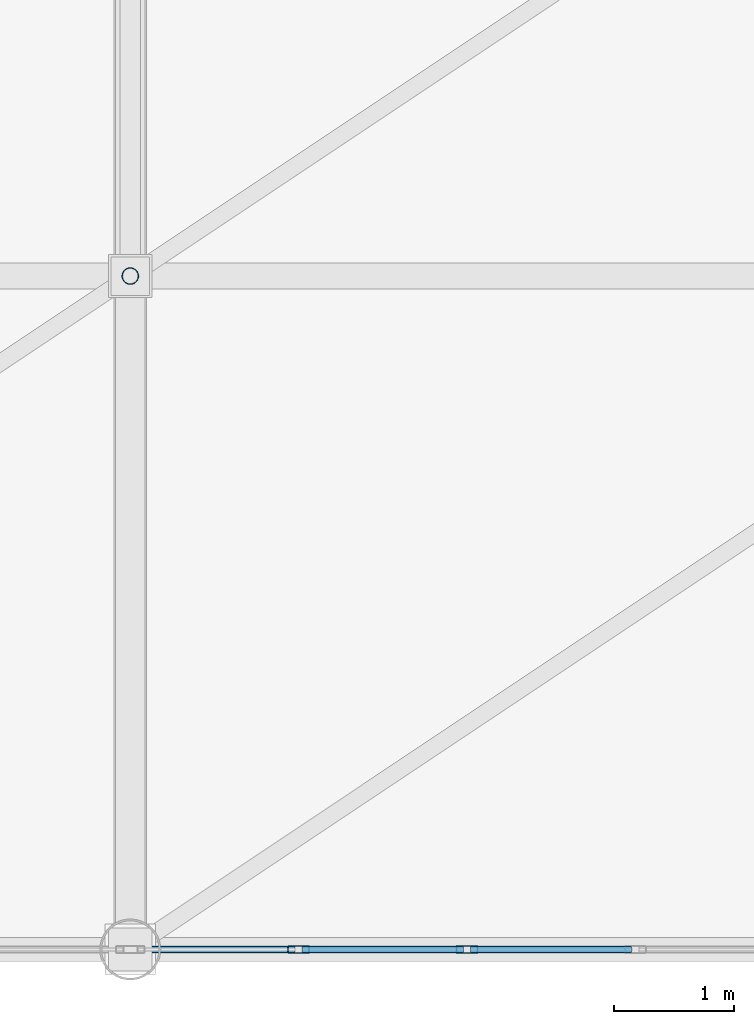
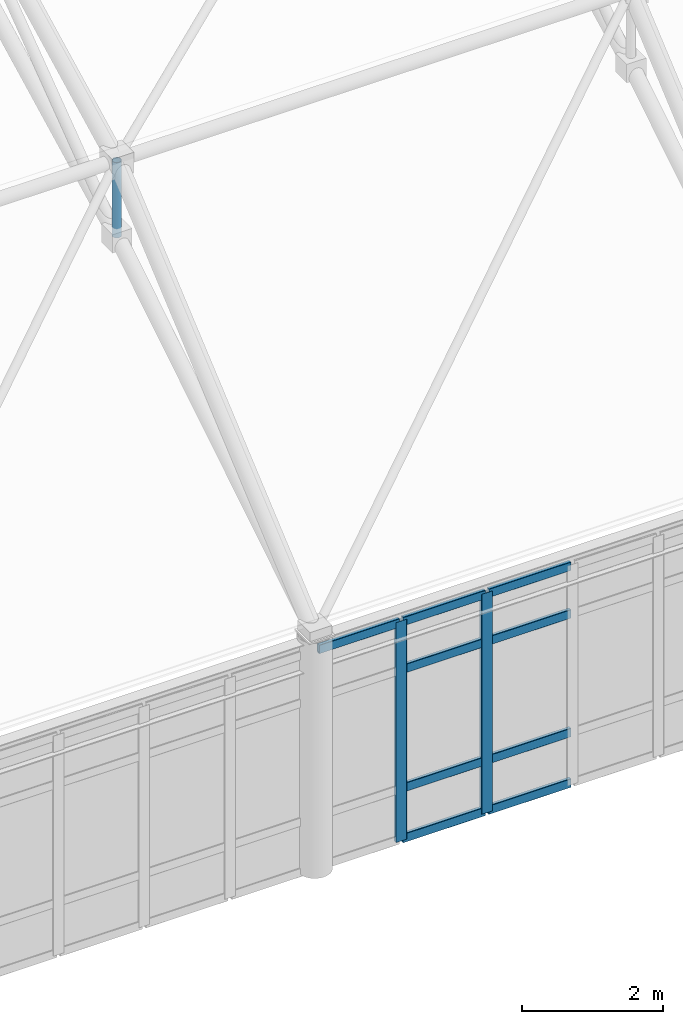
# One storey, part 68 of 184: 12 members, 1 element without a shape of its own.
"""IFC4 building model written with IfcOpenShell, lengths in metres."""

from ifc_helpers import new_model, si_unit, direction, frame, origin, origin_2d, place, context, subcontext, project, spatial, hollow_rectangle, hollow_circle, extrude, material, layer, layer_set, material_profile, profile_set, type_object, element, aggregate, save


model = new_model("IFC4")

# Units and contexts
model_context = context("Model", 3, precision=1e-05, world=origin(), true_north=direction((0.0, 1.0)))
body_context = subcontext(model_context, "Body", "Model", "MODEL_VIEW")
ifc_project = project(units=[si_unit("LENGTHUNIT", "METRE"), si_unit("AREAUNIT", "SQUARE_METRE"), si_unit("VOLUMEUNIT", "CUBIC_METRE"), si_unit("PLANEANGLEUNIT", "RADIAN"), si_unit("MASSUNIT", "GRAM", prefix="KILO")], contexts=[model_context])

# Site, building, storey
site_placement = place(None, origin())
site = spatial("IfcSite", under=ifc_project, at=site_placement, CompositionType="ELEMENT")
building_placement = place(site_placement, origin())
building = spatial("IfcBuilding", under=site, at=building_placement, Name="Qalvenar Corner Mobility Hub", CompositionType="ELEMENT")
storey_placement = place(building_placement, frame((0.0, 0.0, 9.0)))
storey = spatial("IfcBuildingStorey", under=building, at=storey_placement, Name="L02", CompositionType="ELEMENT", Elevation=9.0)

# Curtain wall, members
ifc_material_1 = material(Name="Anodised Aluminium and Low-E Glazing", Category="aluminium")
ifc_layer = layer(ifc_material_1, 0.179931640625)
ifc_layer_set = layer_set([ifc_layer], Name="Anodised Aluminium and Low-E Glazing")
curtain_wall_type = type_object("IfcCurtainWallType", Name="CW-CONC-84X42", PredefinedType="NOTDEFINED", material=ifc_layer_set)
curtain_wall_placement = place(storey_placement, origin())
curtain_wall = element("IfcCurtainWall", 1, at=curtain_wall_placement, inside=storey, type_object=curtain_wall_type, Name="Glazed Curtain Wall CW-V1-L02-S3", PredefinedType="NOTDEFINED")
ifc_material_2 = material(Name="Anodised Aluminium 6063-T6", Category="aluminium")
ifc_material_profile_1 = material_profile(ifc_material_2, hollow_rectangle(XDim=0.06494140625, YDim=0.179931640625, WallThickness=0.00390625, InnerFilletRadius=0.00390625, OuterFilletRadius=0.008056640625, at=origin_2d()), Name="RHS180x65x4")
ifc_profile_set_1 = profile_set([ifc_material_profile_1], Name="Anodised Aluminium 6063-T6")
member_type_1 = type_object("IfcMemberType", Name="CW-MUL180", PredefinedType="MULLION", material=ifc_profile_set_1)
member_1_placement = place(storey_placement, frame((77.0, 0.0, 0.0), z_axis=(0.0, 0.0, 1.0), x_axis=(0.0, 1.0, 0.0)))
member_1 = element("IfcMember", 2, at=member_1_placement, type_object=member_type_1, Name="CW-02 mullion 2", PredefinedType="MULLION", context=body_context, shape_type="SweptSolid", body=[
    extrude(hollow_rectangle(XDim=0.06494140625, YDim=0.179931640625, WallThickness=0.00390625, InnerFilletRadius=0.00390625, OuterFilletRadius=0.008056640625, at=origin_2d()), origin(), (0.0, 0.0, 1.0), 3.800048828125),
])
member_2_placement = place(storey_placement, frame((78.39990234375, 0.0, 0.0), z_axis=(0.0, 0.0, 1.0), x_axis=(0.0, 1.0, 0.0)))
member_2 = element("IfcMember", 3, at=member_2_placement, type_object=member_type_1, Name="CW-02 mullion 3", PredefinedType="MULLION", context=body_context, shape_type="SweptSolid", body=[
    extrude(hollow_rectangle(XDim=0.06494140625, YDim=0.179931640625, WallThickness=0.00390625, InnerFilletRadius=0.00390625, OuterFilletRadius=0.008056640625, at=origin_2d()), origin(), (0.0, 0.0, 1.0), 3.800048828125),
])
ifc_material_profile_2 = material_profile(ifc_material_2, hollow_rectangle(XDim=0.06005859375, YDim=0.14990234375, WallThickness=0.00341796875, InnerFilletRadius=0.00341796875, OuterFilletRadius=0.007080078125, at=origin_2d()), Name="RHS150x60x3.5")
ifc_profile_set_2 = profile_set([ifc_material_profile_2], Name="Anodised Aluminium 6063-T6")
member_type_2 = type_object("IfcMemberType", Name="CW-TRN150", PredefinedType="USERDEFINED", material=ifc_profile_set_2)
member_3_placement = place(storey_placement, frame((75.659912109375, 0.0, 3.7724609375), z_axis=(1.0, 0.0, 0.0), x_axis=(0.0, 1.0, 0.0)))
member_3 = element("IfcMember", 4, at=member_3_placement, type_object=member_type_2, Name="CW-02 transom 1.4", ObjectType="TRANSOM", PredefinedType="USERDEFINED", context=body_context, shape_type="SweptSolid", body=[
    extrude(hollow_rectangle(XDim=0.06005859375, YDim=0.14990234375, WallThickness=0.00341796875, InnerFilletRadius=0.00341796875, OuterFilletRadius=0.007080078125, at=origin_2d()), origin(), (0.0, 0.0, 1.0), 1.31005859375),
])
member_4_placement = place(storey_placement, frame((77.030029296875, 0.0, 0.027587890625), z_axis=(1.0, 0.0, 0.0), x_axis=(0.0, 1.0, 0.0)))
member_4 = element("IfcMember", 5, at=member_4_placement, type_object=member_type_2, Name="CW-02 transom 2.1", ObjectType="TRANSOM", PredefinedType="USERDEFINED", context=body_context, shape_type="SweptSolid", body=[
    extrude(hollow_rectangle(XDim=0.06005859375, YDim=0.14990234375, WallThickness=0.00341796875, InnerFilletRadius=0.00341796875, OuterFilletRadius=0.007080078125, at=origin_2d()), origin(), (0.0, 0.0, 1.0), 1.340087890625),
])
member_5_placement = place(storey_placement, frame((77.030029296875, 0.0, 0.89990234375), z_axis=(1.0, 0.0, 0.0), x_axis=(0.0, 1.0, 0.0)))
member_5 = element("IfcMember", 6, at=member_5_placement, type_object=member_type_2, Name="CW-02 transom 2.2", ObjectType="TRANSOM", PredefinedType="USERDEFINED", context=body_context, shape_type="SweptSolid", body=[
    extrude(hollow_rectangle(XDim=0.06005859375, YDim=0.14990234375, WallThickness=0.00341796875, InnerFilletRadius=0.00341796875, OuterFilletRadius=0.007080078125, at=origin_2d()), origin(), (0.0, 0.0, 1.0), 1.340087890625),
])
member_6_placement = place(storey_placement, frame((77.030029296875, 0.0, 2.949951171875), z_axis=(1.0, 0.0, 0.0), x_axis=(0.0, 1.0, 0.0)))
member_6 = element("IfcMember", 7, at=member_6_placement, type_object=member_type_2, Name="CW-02 transom 2.3", ObjectType="TRANSOM", PredefinedType="USERDEFINED", context=body_context, shape_type="SweptSolid", body=[
    extrude(hollow_rectangle(XDim=0.06005859375, YDim=0.14990234375, WallThickness=0.00341796875, InnerFilletRadius=0.00341796875, OuterFilletRadius=0.007080078125, at=origin_2d()), origin(), (0.0, 0.0, 1.0), 1.340087890625),
])
member_7_placement = place(storey_placement, frame((77.030029296875, 0.0, 3.7724609375), z_axis=(1.0, 0.0, 0.0), x_axis=(0.0, 1.0, 0.0)))
member_7 = element("IfcMember", 8, at=member_7_placement, type_object=member_type_2, Name="CW-02 transom 2.4", ObjectType="TRANSOM", PredefinedType="USERDEFINED", context=body_context, shape_type="SweptSolid", body=[
    extrude(hollow_rectangle(XDim=0.06005859375, YDim=0.14990234375, WallThickness=0.00341796875, InnerFilletRadius=0.00341796875, OuterFilletRadius=0.007080078125, at=origin_2d()), origin(), (0.0, 0.0, 1.0), 1.340087890625),
])
member_8_placement = place(storey_placement, frame((78.429931640625, 0.0, 0.027587890625), z_axis=(1.0, 0.0, 0.0), x_axis=(0.0, 1.0, 0.0)))
member_8 = element("IfcMember", 9, at=member_8_placement, type_object=member_type_2, Name="CW-02 transom 3.1", ObjectType="TRANSOM", PredefinedType="USERDEFINED", context=body_context, shape_type="SweptSolid", body=[
    extrude(hollow_rectangle(XDim=0.06005859375, YDim=0.14990234375, WallThickness=0.00341796875, InnerFilletRadius=0.00341796875, OuterFilletRadius=0.007080078125, at=origin_2d()), origin(), (0.0, 0.0, 1.0), 1.340087890625),
])
member_9_placement = place(storey_placement, frame((78.429931640625, 0.0, 0.89990234375), z_axis=(1.0, 0.0, 0.0), x_axis=(0.0, 1.0, 0.0)))
member_9 = element("IfcMember", 10, at=member_9_placement, type_object=member_type_2, Name="CW-02 transom 3.2", ObjectType="TRANSOM", PredefinedType="USERDEFINED", context=body_context, shape_type="SweptSolid", body=[
    extrude(hollow_rectangle(XDim=0.06005859375, YDim=0.14990234375, WallThickness=0.00341796875, InnerFilletRadius=0.00341796875, OuterFilletRadius=0.007080078125, at=origin_2d()), origin(), (0.0, 0.0, 1.0), 1.340087890625),
])
member_10_placement = place(storey_placement, frame((78.429931640625, 0.0, 2.949951171875), z_axis=(1.0, 0.0, 0.0), x_axis=(0.0, 1.0, 0.0)))
member_10 = element("IfcMember", 11, at=member_10_placement, type_object=member_type_2, Name="CW-02 transom 3.3", ObjectType="TRANSOM", PredefinedType="USERDEFINED", context=body_context, shape_type="SweptSolid", body=[
    extrude(hollow_rectangle(XDim=0.06005859375, YDim=0.14990234375, WallThickness=0.00341796875, InnerFilletRadius=0.00341796875, OuterFilletRadius=0.007080078125, at=origin_2d()), origin(), (0.0, 0.0, 1.0), 1.340087890625),
])
member_11_placement = place(storey_placement, frame((78.429931640625, 0.0, 3.7724609375), z_axis=(1.0, 0.0, 0.0), x_axis=(0.0, 1.0, 0.0)))
member_11 = element("IfcMember", 12, at=member_11_placement, type_object=member_type_2, Name="CW-02 transom 3.4", ObjectType="TRANSOM", PredefinedType="USERDEFINED", context=body_context, shape_type="SweptSolid", body=[
    extrude(hollow_rectangle(XDim=0.06005859375, YDim=0.14990234375, WallThickness=0.00341796875, InnerFilletRadius=0.00341796875, OuterFilletRadius=0.007080078125, at=origin_2d()), origin(), (0.0, 0.0, 1.0), 1.340087890625),
])
aggregate(curtain_wall, [member_1, member_2, member_3, member_4, member_5, member_6, member_7, member_8, member_9, member_10, member_11])

# Member
ifc_material_3 = material(Name="Steel S355", Category="steel")
ifc_material_profile_3 = material_profile(ifc_material_3, hollow_circle(Radius=0.06982421875, WallThickness=0.0048828125, at=origin_2d()), Name="CHS139.7x5")
ifc_profile_set_3 = profile_set([ifc_material_profile_3], Name="Steel S355")
member_type_3 = type_object("IfcMemberType", Name="SF-STR139", PredefinedType="STRUT", material=ifc_profile_set_3)
member_12_placement = place(storey_placement, frame((75.60009765625, 5.60009765625, 7.537841796875), z_axis=(0.0, 0.0, 1.0), x_axis=(1.0, 0.0, 0.0)))
element("IfcMember", 13, at=member_12_placement, inside=storey, type_object=member_type_3, Name="Space Frame King Strut SFV-0080", PredefinedType="STRUT", context=body_context, shape_type="SweptSolid", body=[
    extrude(hollow_circle(Radius=0.06982421875, WallThickness=0.0048828125, at=origin_2d()), origin(), (0.0, 0.0, 1.0), 1.300048828125),
])

save(model, "model.ifc")
